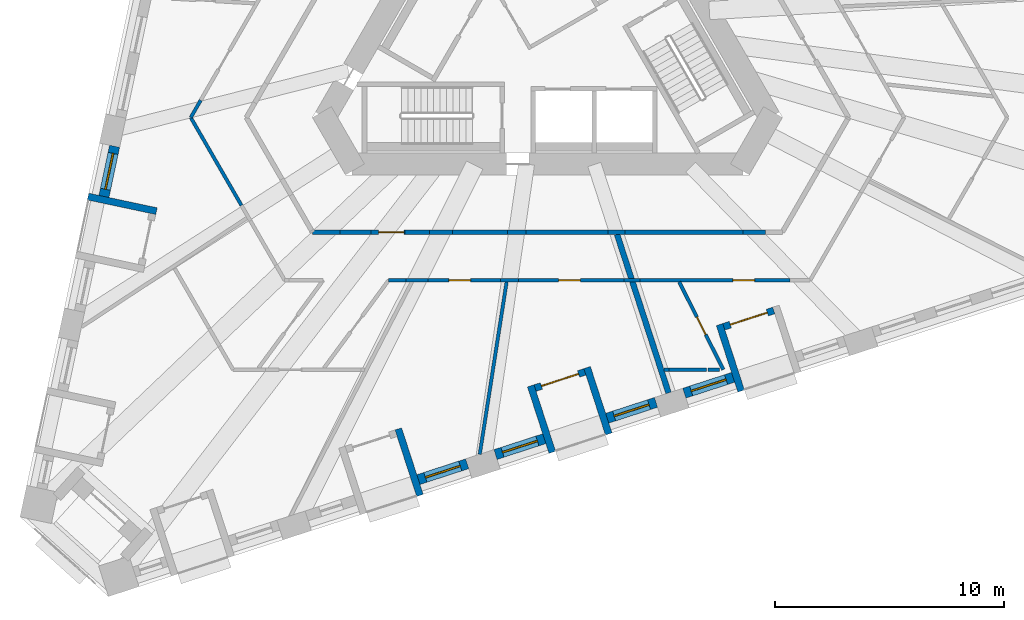
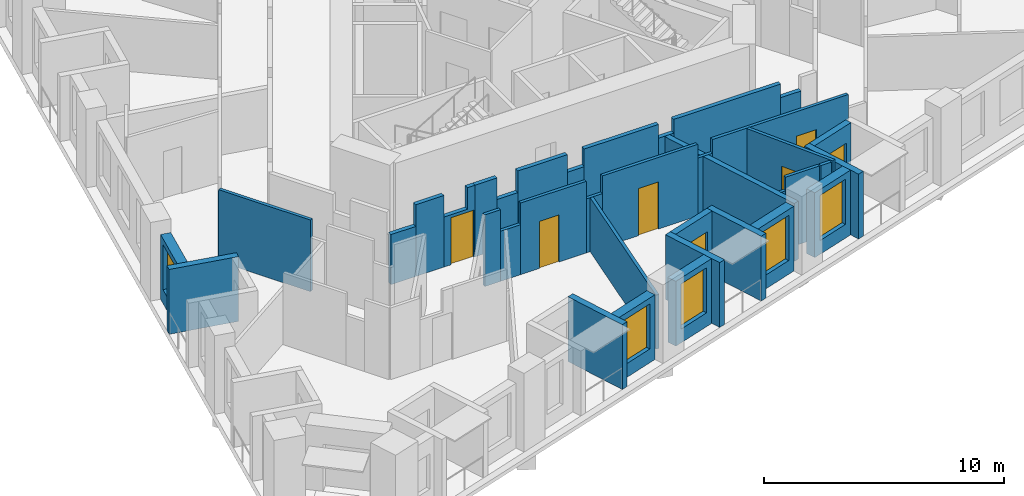
# One storey, part 3 of 12: 38 walls, 7 doors, 5 windows, 12 openings.
"""IFC4 building model written with IfcOpenShell, lengths in metres."""

import ifcopenshell
import ifcopenshell.guid

model = None  # the IFC model being written
_history = None  # IfcOwnerHistory: only IFC2X3 demands one
_inside = {}  # id of a spatial element -> (the spatial element, [elements in it])
_under = {}  # id of a project, library or spatial element -> (it, [spatial elements below it])
_declared = {}  # id of a project -> (the project, [libraries it declares])
_typed = {}  # id of a type object -> (the type object, [elements of that type])
_made_of = {}  # id of a material, layer set ... -> (it, [elements and type objects made of it])


def new_model(schema):
    """Start an empty IFC model of exactly this schema.

    Asked for "IFC4X3", IfcOpenShell would pick the latest addendum, in which some entities
    have other attributes; the version numbers below select the first issue.
    IFC2X3 requires an IfcOwnerHistory on every rooted entity: one is made here for all.
    """
    global model, _history
    if schema == "IFC4X3":
        model = ifcopenshell.file(schema_version=(4, 3, 0, 0))
    else:
        model = ifcopenshell.file(schema=schema)
    _inside.clear()
    _under.clear()
    _declared.clear()
    _typed.clear()
    _made_of.clear()
    _history = None
    if model.schema == "IFC2X3":
        org = make("IfcOrganization", Name="unknown")
        user = make(
            "IfcPersonAndOrganization",
            ThePerson=make("IfcPerson", FamilyName="unknown"),
            TheOrganization=org,
        )
        app = make(
            "IfcApplication",
            ApplicationDeveloper=org,
            Version="unknown",
            ApplicationFullName="unknown",
            ApplicationIdentifier="unknown",
        )
        _history = make(
            "IfcOwnerHistory",
            OwningUser=user,
            OwningApplication=app,
            ChangeAction="ADDED",
            CreationDate=0,
        )
    return model


def make(cls, **values):
    """One entity of the class cls with the attributes given. An attribute that is None is left unset."""
    return model.create_entity(
        cls, **{name: value for name, value in values.items() if value is not None}
    )


def rooted(cls, **values):
    """An entity with a GlobalId (a new one), such as an element, a storey or a relation."""
    return make(cls, GlobalId=ifcopenshell.guid.new(), OwnerHistory=_history, **values)


def si_unit(unit_type, name, prefix=None):
    """IfcSIUnit, for example si_unit("LENGTHUNIT", "METRE", prefix="MILLI")."""
    return make("IfcSIUnit", UnitType=unit_type, Prefix=prefix, Name=name)


def assignment(units):
    """IfcUnitAssignment: the units of a project."""
    return None if units is None else make("IfcUnitAssignment", Units=units)


def point(xyz):
    """IfcCartesianPoint."""
    return None if xyz is None else make("IfcCartesianPoint", Coordinates=xyz)


def direction(xyz):
    """IfcDirection."""
    return None if xyz is None else make("IfcDirection", DirectionRatios=xyz)


def frame(location, z_axis=None, x_axis=None):
    """IfcAxis2Placement3D, a coordinate frame: its origin and axes. An axis left out is left unset."""
    return make(
        "IfcAxis2Placement3D",
        Location=point(location),
        Axis=direction(z_axis),
        RefDirection=direction(x_axis),
    )


def frame_2d(location, x_axis=None):
    """IfcAxis2Placement2D, a coordinate frame in the plane: its origin and x axis."""
    return make(
        "IfcAxis2Placement2D", Location=point(location), RefDirection=direction(x_axis)
    )


def origin():
    """The frame at (0, 0, 0) with its axes left unset."""
    return frame((0.0, 0.0, 0.0))


def place(relative_to, where):
    """IfcLocalPlacement: puts the frame where relative to a parent placement (None: the world)."""
    return make(
        "IfcLocalPlacement", PlacementRelTo=relative_to, RelativePlacement=where
    )


def context(
    kind, dimensions, precision=None, world=None, true_north=None, identifier=None
):
    """IfcGeometricRepresentationContext, for example the 3D "Model" context."""
    return make(
        "IfcGeometricRepresentationContext",
        ContextIdentifier=identifier,
        ContextType=kind,
        CoordinateSpaceDimension=dimensions,
        Precision=precision,
        WorldCoordinateSystem=world,
        TrueNorth=true_north,
    )


def subcontext(parent, identifier, kind, view, scale=None):
    """IfcGeometricRepresentationSubContext, for example "Body" below "Model"."""
    return make(
        "IfcGeometricRepresentationSubContext",
        ContextIdentifier=identifier,
        ContextType=kind,
        ParentContext=parent,
        TargetScale=scale,
        TargetView=view,
    )


def project(units=None, contexts=None):
    """IfcProject with its units and contexts."""
    return rooted(
        "IfcProject",
        Name="project",
        RepresentationContexts=contexts,
        UnitsInContext=assignment(units),
    )


def spatial(cls, under=None, at=None, **own):
    """A site, building, storey or space (cls), placed at a placement, below another one or the project."""
    s = rooted(cls, ObjectPlacement=at, **own)
    if under is not None:
        _under.setdefault(under.id(), (under, []))[1].append(s)
    return s


def polyline(points):
    """IfcPolyline through the points."""
    return make("IfcPolyline", Points=[point(p) for p in points])


def profile(cls, at=None, kind="AREA", **sizes):
    """A parametric profile (cls). Its sizes go by their IFC names, for example OverallWidth=200.0."""
    return make(cls, ProfileType=kind, Position=at, **sizes)


def rectangle(**sizes):
    """IfcRectangleProfileDef."""
    return profile("IfcRectangleProfileDef", **sizes)


def outline(outer, holes=None, kind="AREA"):
    """IfcArbitraryClosedProfileDef: a profile drawn as a closed curve; with holes, ...WithVoids."""
    if holes is None:
        return make("IfcArbitraryClosedProfileDef", ProfileType=kind, OuterCurve=outer)
    return make(
        "IfcArbitraryProfileDefWithVoids",
        ProfileType=kind,
        OuterCurve=outer,
        InnerCurves=holes,
    )


def extrude(swept, where, along, depth):
    """IfcExtrudedAreaSolid: the profile swept, set in the frame where, extruded along a direction by depth."""
    return make(
        "IfcExtrudedAreaSolid",
        SweptArea=swept,
        Position=where,
        ExtrudedDirection=direction(along),
        Depth=depth,
    )


def shape(context_of_items, identifier, shape_type, items):
    """IfcShapeRepresentation: the items that make up one representation, for example the "Body"."""
    return make(
        "IfcShapeRepresentation",
        ContextOfItems=context_of_items,
        RepresentationIdentifier=identifier,
        RepresentationType=shape_type,
        Items=items,
    )


def material(Name=None, Category=None):
    """IfcMaterial."""
    return make("IfcMaterial", Name=Name, Category=Category)


def layer(
    of_material, thickness, ventilated=None, Name=None, Category=None, Priority=None
):
    """IfcMaterialLayer: one layer of a wall or slab, of a material (None: an air gap)."""
    return make(
        "IfcMaterialLayer",
        Material=of_material,
        LayerThickness=thickness,
        IsVentilated=ventilated,
        Name=Name,
        Category=Category,
        Priority=Priority,
    )


def layer_set(layers, Name=None):
    """IfcMaterialLayerSet."""
    return make("IfcMaterialLayerSet", MaterialLayers=layers, LayerSetName=Name)


def made_of(thing, what):
    """Note that an element or type object is made of a material, layer set ...; save() writes the relation."""
    if what is not None:
        _made_of.setdefault(what.id(), (what, []))[1].append(thing)
    return thing


def type_object(cls, material=None, **own):
    """A type object (cls), such as IfcWallType, which elements share."""
    return made_of(rooted(cls, **own), material)


def element(
    cls,
    number,
    at=None,
    inside=None,
    cuts=None,
    type_object=None,
    material=None,
    context=None,
    identifier="Body",
    shape_type=None,
    held_by="IfcProductDefinitionShape",
    body=None,
    shapes=None,
    **own,
):
    """One element of the class cls, such as IfcWall. Its Tag is "e" and its number.

    at: its placement. inside: the storey or other place that contains it. cuts: it is an
    opening in that element (IfcRelVoidsElement). A single representation is given by context,
    identifier, shape_type and body (its items); several are given by shapes. held_by: the class
    of the entity that holds the representations. save() writes the other relations.
    """
    e = rooted(cls, Tag="e%d" % number, ObjectPlacement=at, **own)
    if body is not None:
        shapes = [shape(context, identifier, shape_type, body)]
    if shapes is not None:
        e.Representation = make(held_by, Representations=shapes)
    if inside is not None:
        _inside.setdefault(inside.id(), (inside, []))[1].append(e)
    if cuts is not None:
        rooted(
            "IfcRelVoidsElement", RelatingBuildingElement=cuts, RelatedOpeningElement=e
        )
    if type_object is not None:
        _typed.setdefault(type_object.id(), (type_object, []))[1].append(e)
    return made_of(e, material)


def fill(opening, filler):
    """IfcRelFillsElement: the door or window that sits in an opening."""
    return rooted(
        "IfcRelFillsElement",
        RelatingOpeningElement=opening,
        RelatedBuildingElement=filler,
    )


def aggregate(whole, parts):
    """IfcRelAggregates: a whole, such as a stair, and the parts it consists of."""
    return rooted("IfcRelAggregates", RelatingObject=whole, RelatedObjects=parts)


def save(model, path):
    """Write the relations noted so far, then the file.

    IfcRelAggregates (storeys below a building ...), IfcRelContainedInSpatialStructure (elements
    in a storey), IfcRelDefinesByType, IfcRelAssociatesMaterial and IfcRelDeclares: one each for
    every whole, place, type object, material and project.
    """
    for whole, parts in _under.values():
        aggregate(whole, parts)
    for where, things in _inside.values():
        rooted(
            "IfcRelContainedInSpatialStructure",
            RelatedElements=things,
            RelatingStructure=where,
        )
    for kind, things in _typed.values():
        rooted("IfcRelDefinesByType", RelatedObjects=things, RelatingType=kind)
    for what, things in _made_of.values():
        rooted("IfcRelAssociatesMaterial", RelatedObjects=things, RelatingMaterial=what)
    for by, libraries in _declared.values():
        rooted("IfcRelDeclares", RelatingContext=by, RelatedDefinitions=libraries)
    model.write(path)


model = new_model("IFC4")

# Units and contexts
model_context = context("Model", 3, precision=1e-05, world=origin(), true_north=direction((0.0, 1.0)))
body_context = subcontext(model_context, "Body", "Model", "MODEL_VIEW")
ifc_project = project(units=[si_unit("LENGTHUNIT", "METRE"), si_unit("AREAUNIT", "SQUARE_METRE"), si_unit("VOLUMEUNIT", "CUBIC_METRE"), si_unit("PLANEANGLEUNIT", "RADIAN"), si_unit("MASSUNIT", "GRAM", prefix="KILO")], contexts=[model_context])

# Site, building, storey
site_placement = place(None, origin())
site = spatial("IfcSite", under=ifc_project, at=site_placement, CompositionType="ELEMENT")
building_placement = place(site_placement, origin())
building = spatial("IfcBuilding", under=site, at=building_placement, Name="Tramontana Tower", CompositionType="ELEMENT")
storey_placement = place(building_placement, frame((0.0, 0.0, 96.39990234375)))
storey = spatial("IfcBuildingStorey", under=building, at=storey_placement, Name="L21", CompositionType="ELEMENT", Elevation=96.39990234375)

# Walls
ifc_material_1 = material(Name="Blockwork", Category="masonry")
ifc_layer_1 = layer(ifc_material_1, 0.199951171875)
ifc_layer_set_1 = layer_set([ifc_layer_1], Name="ENTRY WALL 200")
wall_type_1 = type_object("IfcWallType", Name="ENTRY WALL 200", PredefinedType="SOLIDWALL", material=ifc_layer_set_1)
wall_1_placement = place(storey_placement, frame((9.50439453125, -9.25, 0.0), z_axis=(0.0, 0.0, 1.0), x_axis=(-1.0, 0.0, 0.0)))
element("IfcWall", 1, at=wall_1_placement, inside=storey, type_object=wall_type_1, Name="Wall v20-ew2-1", PredefinedType="SOLIDWALL", context=body_context, shape_type="SweptSolid", body=[
    extrude(rectangle(XDim=0.9775390625, YDim=0.199951171875, at=frame_2d((0.48876953125, 0.0))), origin(), (0.0, 0.0, 1.0), 2.9501953125),
])
wall_2_placement = place(storey_placement, frame((8.52685546875, -9.25, 0.0), z_axis=(0.0, 0.0, 1.0), x_axis=(-1.0, 0.0, 0.0)))
element("IfcWall", 2, at=wall_2_placement, inside=storey, type_object=wall_type_1, Name="Wall v20-ew2-2", PredefinedType="SOLIDWALL", context=body_context, shape_type="SweptSolid", body=[
    extrude(rectangle(XDim=5.1533203125, YDim=0.199951171875, at=frame_2d((2.57666015625, 0.0))), origin(), (0.0, 0.0, 1.0), 3.650146484375),
])
wall_3_placement = place(storey_placement, frame((3.37353515625, -9.25, 0.0), z_axis=(0.0, 0.0, 1.0), x_axis=(-1.0, 0.0, 0.0)))
element("IfcWall", 3, at=wall_3_placement, inside=storey, type_object=wall_type_1, Name="Wall v20-ew2-3", PredefinedType="SOLIDWALL", context=body_context, shape_type="SweptSolid", body=[
    extrude(rectangle(XDim=0.736083984375, YDim=0.199951171875, at=frame_2d((0.3681640625, 0.0))), origin(), (0.0, 0.0, 1.0), 2.9501953125),
])
wall_4_placement = place(storey_placement, frame((2.637451171875, -9.25, 0.0), z_axis=(0.0, 0.0, 1.0), x_axis=(-1.0, 0.0, 0.0)))
element("IfcWall", 4, at=wall_4_placement, inside=storey, type_object=wall_type_1, Name="Wall v20-ew2-4", PredefinedType="SOLIDWALL", context=body_context, shape_type="SweptSolid", body=[
    extrude(rectangle(XDim=3.576904296875, YDim=0.199951171875, at=frame_2d((1.78857421875, 0.0))), origin(), (0.0, 0.0, 1.0), 3.650146484375),
])
wall_5_placement = place(storey_placement, frame((-0.939453125, -9.25, 0.0), z_axis=(0.0, 0.0, 1.0), x_axis=(-1.0, 0.0, 0.0)))
element("IfcWall", 5, at=wall_5_placement, inside=storey, type_object=wall_type_1, Name="Wall v20-ew2-5", PredefinedType="SOLIDWALL", context=body_context, shape_type="SweptSolid", body=[
    extrude(rectangle(XDim=0.808349609375, YDim=0.199951171875, at=frame_2d((0.404296875, 0.0))), origin(), (0.0, 0.0, 1.0), 2.75),
])
wall_6_placement = place(storey_placement, frame((-1.747802734375, -9.25, 0.0), z_axis=(0.0, 0.0, 1.0), x_axis=(-1.0, 0.0, 0.0)))
element("IfcWall", 6, at=wall_6_placement, inside=storey, type_object=wall_type_1, Name="Wall v20-ew2-6", PredefinedType="SOLIDWALL", context=body_context, shape_type="SweptSolid", body=[
    extrude(rectangle(XDim=2.385498046875, YDim=0.199951171875, at=frame_2d((1.19287109375, 0.0))), origin(), (0.0, 0.0, 1.0), 3.650146484375),
])
wall_7_placement = place(storey_placement, frame((-4.13330078125, -9.25, 0.0), z_axis=(0.0, 0.0, 1.0), x_axis=(-1.0, 0.0, 0.0)))
element("IfcWall", 7, at=wall_7_placement, inside=storey, type_object=wall_type_1, Name="Wall v20-ew2-7", PredefinedType="SOLIDWALL", context=body_context, shape_type="SweptSolid", body=[
    extrude(rectangle(XDim=1.0068359375, YDim=0.199951171875, at=frame_2d((0.50341796875, 0.0))), origin(), (0.0, 0.0, 1.0), 2.550048828125),
])
wall_8_placement = place(storey_placement, frame((-5.14013671875, -9.25, 0.0), z_axis=(0.0, 0.0, 1.0), x_axis=(-1.0, 0.0, 0.0)))
element("IfcWall", 8, at=wall_8_placement, inside=storey, type_object=wall_type_1, Name="Wall v20-ew2-8", PredefinedType="SOLIDWALL", context=body_context, shape_type="SweptSolid", body=[
    extrude(rectangle(XDim=1.069580078125, YDim=0.199951171875, at=frame_2d((0.53466796875, 0.0))), origin(), (0.0, 0.0, 1.0), 3.650146484375),
])

# Wall, opening, door
wall_9_placement = place(storey_placement, frame((-7.695556640625, -9.25, 0.0), z_axis=(0.0, 0.0, 1.0), x_axis=(1.0, 0.0, 0.0)))
wall_9 = element("IfcWall", 9, at=wall_9_placement, inside=storey, type_object=wall_type_1, Name="Wall v20-ew2-9", PredefinedType="SOLIDWALL", context=body_context, shape_type="SweptSolid", body=[
    extrude(outline(polyline([(0.0, 0.0), (1.48583984375, 0.0), (1.48583984375, 3.650146484375), (1.13623046875, 3.650146484375), (1.13623046875, 2.550048828125), (0.0, 2.550048828125), (0.0, 0.0)])), frame((0.0, 0.10009765625, 0.0), z_axis=(0.0, -1.0, 0.0), x_axis=(1.0, 0.0, 0.0)), (0.0, 0.0, 1.0), 0.199951171875),
])
opening_1_placement = place(wall_9_placement, frame((0.3359375, 0.0, 0.0)))
opening_1 = element("IfcOpeningElement", 10, at=opening_1_placement, cuts=wall_9, Name="Opening B2A-23", PredefinedType="OPENING", context=body_context, shape_type="SweptSolid", body=[
    extrude(rectangle(XDim=1.10009765625, YDim=2.39990234375, at=frame_2d((0.550048828125, 1.199951171875))), frame((0.0, 0.10986328125, 0.0), z_axis=(0.0, -1.0, 0.0), x_axis=(1.0, 0.0, 0.0)), (0.0, 0.0, 1.0), 0.219970703125),
])
ifc_material_2 = material(Name="Painted timber", Category="wood")
door_type_1 = type_object("IfcDoorType", Name="DOOR ENTRY 1100", OperationType="SINGLE_SWING_LEFT", PredefinedType="DOOR", material=ifc_material_2)
door_1_placement = place(opening_1_placement, origin())
door_1 = element("IfcDoor", 11, at=door_1_placement, inside=storey, type_object=door_type_1, Name="Door B2A-23", OperationType="SINGLE_SWING_LEFT", OverallHeight=2.39990234375, OverallWidth=1.10009765625, PredefinedType="DOOR", context=body_context, shape_type="SweptSolid", body=[
    extrude(rectangle(XDim=1.10009765625, YDim=2.39990234375, at=frame_2d((0.550048828125, 1.199951171875))), frame((0.0, 0.02490234375, 0.0), z_axis=(0.0, -1.0, 0.0), x_axis=(1.0, 0.0, 0.0)), (0.0, 0.0, 1.0), 0.050048828125),
])
fill(opening_1, door_1)

# Walls
wall_10_placement = place(storey_placement, frame((-7.695556640625, -9.25, 0.0), z_axis=(0.0, 0.0, 1.0), x_axis=(-1.0, 0.0, 0.0)))
element("IfcWall", 12, at=wall_10_placement, inside=storey, type_object=wall_type_1, Name="Wall v20-ew2-10", PredefinedType="SOLIDWALL", context=body_context, shape_type="SweptSolid", body=[
    extrude(rectangle(XDim=1.3603515625, YDim=0.199951171875, at=frame_2d((0.68017578125, 0.0))), origin(), (0.0, 0.0, 1.0), 3.650146484375),
])
wall_11_placement = place(storey_placement, frame((-9.055908203125, -9.25, 0.0), z_axis=(0.0, 0.0, 1.0), x_axis=(-1.0, 0.0, 0.0)))
element("IfcWall", 13, at=wall_11_placement, inside=storey, type_object=wall_type_1, Name="Wall v20-ew2-11", PredefinedType="SOLIDWALL", context=body_context, shape_type="SweptSolid", body=[
    extrude(rectangle(XDim=1.192138671875, YDim=0.199951171875, at=frame_2d((0.59619140625, 0.0))), origin(), (0.0, 0.0, 1.0), 2.550048828125),
])

# Wall, opening, window
ifc_material_3 = material(Name="Precast concrete 60 MPa", Category="concrete")
ifc_layer_2 = layer(ifc_material_3, 0.449951171875)
ifc_layer_set_2 = layer_set([ifc_layer_2], Name="Precast concrete 60 MPa, 450 mm")
wall_type_2 = type_object("IfcWallType", Name="EW1 Stone-faced precast wall 450", PredefinedType="SOLIDWALL", material=ifc_layer_set_2)
wall_12_placement = place(storey_placement, frame((-18.882080078125, -5.504638671875, 0.0), z_axis=(0.0, 0.0, 1.0), x_axis=(-0.207918801611, -0.978146089261, 0.0)))
wall_12 = element("IfcWall", 14, at=wall_12_placement, inside=storey, type_object=wall_type_2, Name="External wall L21 face 0 bay 5", PredefinedType="SOLIDWALL", context=body_context, shape_type="SweptSolid", body=[
    extrude(rectangle(XDim=2.23681640625, YDim=0.449951171875, at=frame_2d((1.118408203125, 0.0))), origin(), (0.0, 0.0, 1.0), 3.300048828125),
])
opening_2_placement = place(wall_12_placement, frame((0.318359375, 0.0, 0.699951171875)))
opening_2 = element("IfcOpeningElement", 15, at=opening_2_placement, cuts=wall_12, Name="Opening M1", PredefinedType="OPENING", context=body_context, shape_type="SweptSolid", body=[
    extrude(rectangle(XDim=1.60009765625, YDim=2.300048828125, at=frame_2d((0.800048828125, 1.14990234375))), frame((0.0, 0.23486328125, 0.0), z_axis=(0.0, -1.0, 0.0), x_axis=(1.0, 0.0, 0.0)), (0.0, 0.0, 1.0), 0.469970703125),
])
ifc_material_4 = material(Name="Aluminum frame, double glazing unit", Category="aluminium")
window_type = type_object("IfcWindowType", Name="M1 Window 1.6 x 2.3", PartitioningType="SINGLE_PANEL", PredefinedType="WINDOW", material=ifc_material_4)
window_1_placement = place(opening_2_placement, origin())
window_1 = element("IfcWindow", 16, at=window_1_placement, inside=storey, type_object=window_type, Name="Window M1 L21 face 0 module 13", OverallHeight=2.300048828125, OverallWidth=1.60009765625, PartitioningType="SINGLE_PANEL", PredefinedType="WINDOW", context=body_context, shape_type="SweptSolid", body=[
    extrude(rectangle(XDim=1.60009765625, YDim=2.300048828125, at=frame_2d((0.800048828125, 1.14990234375))), frame((0.0, 0.030029296875, 0.0), z_axis=(0.0, -1.0, 0.0), x_axis=(1.0, 0.0, 0.0)), (0.0, 0.0, 1.0), 0.06005859375),
])
fill(opening_2, window_1)

wall_13_placement = place(storey_placement, frame((-5.628173828125, -20.045166015625, 0.0), z_axis=(0.0, 0.0, 1.0), x_axis=(0.951057328329, 0.30901449518, 0.0)))
wall_13 = element("IfcWall", 17, at=wall_13_placement, inside=storey, type_object=wall_type_2, Name="External wall L21 face 1 bay 2", PredefinedType="SOLIDWALL", context=body_context, shape_type="SweptSolid", body=[
    extrude(rectangle(XDim=2.236572265625, YDim=0.449951171875, at=frame_2d((1.1181640625, 0.0))), origin(), (0.0, 0.0, 1.0), 3.300048828125),
])
opening_3_placement = place(wall_13_placement, frame((0.318359375, 0.0, 0.699951171875)))
opening_3 = element("IfcOpeningElement", 18, at=opening_3_placement, cuts=wall_13, Name="Opening M1", PredefinedType="OPENING", context=body_context, shape_type="SweptSolid", body=[
    extrude(rectangle(XDim=1.60009765625, YDim=2.300048828125, at=frame_2d((0.800048828125, 1.14990234375))), frame((0.0, 0.23486328125, 0.0), z_axis=(0.0, -1.0, 0.0), x_axis=(1.0, 0.0, 0.0)), (0.0, 0.0, 1.0), 0.469970703125),
])
window_2_placement = place(opening_3_placement, origin())
window_2 = element("IfcWindow", 19, at=window_2_placement, inside=storey, type_object=window_type, Name="Window M1 L21 face 1 module 6", OverallHeight=2.300048828125, OverallWidth=1.60009765625, PartitioningType="SINGLE_PANEL", PredefinedType="WINDOW", context=body_context, shape_type="SweptSolid", body=[
    extrude(rectangle(XDim=1.60009765625, YDim=2.300048828125, at=frame_2d((0.800048828125, 1.14990234375))), frame((0.0, 0.030029296875, 0.0), z_axis=(0.0, -1.0, 0.0), x_axis=(1.0, 0.0, 0.0)), (0.0, 0.0, 1.0), 0.06005859375),
])
fill(opening_3, window_2)

wall_14_placement = place(storey_placement, frame((-2.264404296875, -18.952392578125, 0.0), z_axis=(0.0, 0.0, 1.0), x_axis=(0.951057328329, 0.30901449518, 0.0)))
wall_14 = element("IfcWall", 20, at=wall_14_placement, inside=storey, type_object=wall_type_2, Name="External wall L21 face 1 bay 3", PredefinedType="SOLIDWALL", context=body_context, shape_type="SweptSolid", body=[
    extrude(rectangle(XDim=2.236572265625, YDim=0.449951171875, at=frame_2d((1.1181640625, 0.0))), origin(), (0.0, 0.0, 1.0), 3.300048828125),
])
opening_4_placement = place(wall_14_placement, frame((0.318359375, 0.0, 0.699951171875)))
opening_4 = element("IfcOpeningElement", 21, at=opening_4_placement, cuts=wall_14, Name="Opening M1", PredefinedType="OPENING", context=body_context, shape_type="SweptSolid", body=[
    extrude(rectangle(XDim=1.60009765625, YDim=2.300048828125, at=frame_2d((0.800048828125, 1.14990234375))), frame((0.0, 0.23486328125, 0.0), z_axis=(0.0, -1.0, 0.0), x_axis=(1.0, 0.0, 0.0)), (0.0, 0.0, 1.0), 0.469970703125),
])
window_3_placement = place(opening_4_placement, origin())
window_3 = element("IfcWindow", 22, at=window_3_placement, inside=storey, type_object=window_type, Name="Window M1 L21 face 1 module 7", OverallHeight=2.300048828125, OverallWidth=1.60009765625, PartitioningType="SINGLE_PANEL", PredefinedType="WINDOW", context=body_context, shape_type="SweptSolid", body=[
    extrude(rectangle(XDim=1.60009765625, YDim=2.300048828125, at=frame_2d((0.800048828125, 1.14990234375))), frame((0.0, 0.030029296875, 0.0), z_axis=(0.0, -1.0, 0.0), x_axis=(1.0, 0.0, 0.0)), (0.0, 0.0, 1.0), 0.06005859375),
])
fill(opening_4, window_3)

wall_15_placement = place(storey_placement, frame((2.608154296875, -17.369140625, 0.0), z_axis=(0.0, 0.0, 1.0), x_axis=(0.951067749801, 0.30898241906, 0.0)))
wall_15 = element("IfcWall", 23, at=wall_15_placement, inside=storey, type_object=wall_type_2, Name="External wall L21 face 1 bay 3", PredefinedType="SOLIDWALL", context=body_context, shape_type="SweptSolid", body=[
    extrude(rectangle(XDim=2.23681640625, YDim=0.449951171875, at=frame_2d((1.118408203125, 0.0))), origin(), (0.0, 0.0, 1.0), 3.300048828125),
])
opening_5_placement = place(wall_15_placement, frame((0.318359375, 0.0, 0.699951171875)))
opening_5 = element("IfcOpeningElement", 24, at=opening_5_placement, cuts=wall_15, Name="Opening M1", PredefinedType="OPENING", context=body_context, shape_type="SweptSolid", body=[
    extrude(rectangle(XDim=1.60009765625, YDim=2.300048828125, at=frame_2d((0.800048828125, 1.14990234375))), frame((0.0, 0.23486328125, 0.0), z_axis=(0.0, -1.0, 0.0), x_axis=(1.0, 0.0, 0.0)), (0.0, 0.0, 1.0), 0.469970703125),
])
window_4_placement = place(opening_5_placement, origin())
window_4 = element("IfcWindow", 25, at=window_4_placement, inside=storey, type_object=window_type, Name="Window M1 L21 face 1 module 9", OverallHeight=2.300048828125, OverallWidth=1.60009765625, PartitioningType="SINGLE_PANEL", PredefinedType="WINDOW", context=body_context, shape_type="SweptSolid", body=[
    extrude(rectangle(XDim=1.60009765625, YDim=2.300048828125, at=frame_2d((0.800048828125, 1.14990234375))), frame((0.0, 0.030029296875, 0.0), z_axis=(0.0, -1.0, 0.0), x_axis=(1.0, 0.0, 0.0)), (0.0, 0.0, 1.0), 0.06005859375),
])
fill(opening_5, window_4)

wall_16_placement = place(storey_placement, frame((5.971923828125, -16.276123046875, 0.0), z_axis=(0.0, 0.0, 1.0), x_axis=(0.951057328329, 0.30901449518, 0.0)))
wall_16 = element("IfcWall", 26, at=wall_16_placement, inside=storey, type_object=wall_type_2, Name="External wall L21 face 1 bay 4", PredefinedType="SOLIDWALL", context=body_context, shape_type="SweptSolid", body=[
    extrude(rectangle(XDim=2.236572265625, YDim=0.449951171875, at=frame_2d((1.1181640625, 0.0))), origin(), (0.0, 0.0, 1.0), 3.300048828125),
])
opening_6_placement = place(wall_16_placement, frame((0.318359375, 0.0, 0.699951171875)))
opening_6 = element("IfcOpeningElement", 27, at=opening_6_placement, cuts=wall_16, Name="Opening M1", PredefinedType="OPENING", context=body_context, shape_type="SweptSolid", body=[
    extrude(rectangle(XDim=1.60009765625, YDim=2.300048828125, at=frame_2d((0.800048828125, 1.14990234375))), frame((0.0, 0.23486328125, 0.0), z_axis=(0.0, -1.0, 0.0), x_axis=(1.0, 0.0, 0.0)), (0.0, 0.0, 1.0), 0.469970703125),
])
window_5_placement = place(opening_6_placement, origin())
window_5 = element("IfcWindow", 28, at=window_5_placement, inside=storey, type_object=window_type, Name="Window M1 L21 face 1 module 10", OverallHeight=2.300048828125, OverallWidth=1.60009765625, PartitioningType="SINGLE_PANEL", PredefinedType="WINDOW", context=body_context, shape_type="SweptSolid", body=[
    extrude(rectangle(XDim=1.60009765625, YDim=2.300048828125, at=frame_2d((0.800048828125, 1.14990234375))), frame((0.0, 0.030029296875, 0.0), z_axis=(0.0, -1.0, 0.0), x_axis=(1.0, 0.0, 0.0)), (0.0, 0.0, 1.0), 0.06005859375),
])
fill(opening_6, window_5)

# Walls
ifc_material_5 = material(Name="Precast concrete 60 MPa", Category="concrete")
ifc_layer_3 = layer(ifc_material_5, 0.300048828125)
ifc_layer_set_3 = layer_set([ifc_layer_3], Name="LW1 Stone-faced loggia wall 300")
wall_type_3 = type_object("IfcWallType", Name="LW1 Stone-faced loggia wall 300", PredefinedType="SOLIDWALL", material=ifc_layer_set_3)
for number, where, z_axis, x_axis, name in (
    (29, (-20.03857421875, -7.698974609375, 0.0), (0.0, 0.0, 1.0), (0.978154782045, -0.207877902534, 0.0), "Loggia return L21 G2S0.13a"),
    (30, (-5.562255859375, -20.733642578125, 0.0), (0.0, 0.0, 1.0), (-0.308966615996, 0.951072883748, 0.0), "Loggia return L21 G2S1.4b"),
):
    element("IfcWall", number, at=place(storey_placement, frame(where, z_axis=z_axis, x_axis=x_axis)), inside=storey, type_object=wall_type_3, Name=name, PredefinedType="SOLIDWALL", context=body_context, shape_type="SweptSolid", body=[
        extrude(rectangle(XDim=3.050048828125, YDim=0.300048828125, at=frame_2d((1.52490234375, 0.0))), origin(), (0.0, 0.0, 1.0), 3.300048828125),
    ])

# Wall, opening, door
wall_17_placement = place(storey_placement, frame((-0.53955078125, -16.05224609375, 0.0), z_axis=(0.0, 0.0, 1.0), x_axis=(0.951078776318, 0.308948476671, 0.0)))
wall_17 = element("IfcWall", 31, at=wall_17_placement, inside=storey, type_object=wall_type_3, Name="Loggia wall L21 G2S1.7", PredefinedType="SOLIDWALL", context=body_context, shape_type="SweptSolid", body=[
    extrude(rectangle(XDim=2.286865234375, YDim=0.300048828125, at=frame_2d((1.1435546875, 0.0))), origin(), (0.0, 0.0, 1.0), 3.300048828125),
])
opening_7_placement = place(wall_17_placement, frame((0.29345703125, 0.0, 0.0)))
opening_7 = element("IfcOpeningElement", 32, at=opening_7_placement, cuts=wall_17, Name="Opening BD-2S1-07", PredefinedType="OPENING", context=body_context, shape_type="SweptSolid", body=[
    extrude(rectangle(XDim=1.699951171875, YDim=2.39990234375, at=frame_2d((0.85009765625, 1.199951171875))), frame((0.0, 0.159912109375, 0.0), z_axis=(0.0, -1.0, 0.0), x_axis=(1.0, 0.0, 0.0)), (0.0, 0.0, 1.0), 0.320068359375),
])
ifc_material_6 = material(Name="Aluminum frame, double glazing unit", Category="aluminium")
door_type_2 = type_object("IfcDoorType", Name="BD1 Sliding door 1.7 x 2.4", OperationType="SLIDING_TO_LEFT", PredefinedType="DOOR", material=ifc_material_6)
door_2_placement = place(opening_7_placement, origin())
door_2 = element("IfcDoor", 33, at=door_2_placement, inside=storey, type_object=door_type_2, Name="Loggia door L21 G2S1.7", OperationType="SLIDING_TO_LEFT", OverallHeight=2.39990234375, OverallWidth=1.699951171875, PredefinedType="DOOR", context=body_context, shape_type="SweptSolid", body=[
    extrude(rectangle(XDim=1.699951171875, YDim=2.39990234375, at=frame_2d((0.85009765625, 1.199951171875))), frame((0.0, 0.02490234375, 0.0), z_axis=(0.0, -1.0, 0.0), x_axis=(1.0, 0.0, 0.0)), (0.0, 0.0, 1.0), 0.050048828125),
])
fill(opening_7, door_2)

# Walls
wall_18_placement = place(storey_placement, frame((0.214111328125, -18.856689453125, 0.0), z_axis=(0.0, 0.0, 1.0), x_axis=(-0.309062542235, 0.951041715693, 0.0)))
element("IfcWall", 34, at=wall_18_placement, inside=storey, type_object=wall_type_3, Name="Loggia return L21 G2S1.7a", PredefinedType="SOLIDWALL", context=body_context, shape_type="SweptSolid", body=[
    extrude(rectangle(XDim=3.050048828125, YDim=0.300048828125, at=frame_2d((1.52490234375, 0.0))), origin(), (0.0, 0.0, 1.0), 3.300048828125),
])
wall_19_placement = place(storey_placement, frame((2.674072265625, -18.057373046875, 0.0), z_axis=(0.0, 0.0, 1.0), x_axis=(-0.308990138358, 0.951065241925, 0.0)))
element("IfcWall", 35, at=wall_19_placement, inside=storey, type_object=wall_type_3, Name="Loggia return L21 G2S1.7b", PredefinedType="SOLIDWALL", context=body_context, shape_type="SweptSolid", body=[
    extrude(rectangle(XDim=3.0498046875, YDim=0.300048828125, at=frame_2d((1.52490234375, 0.0))), origin(), (0.0, 0.0, 1.0), 3.300048828125),
])

# Wall, opening, door
wall_20_placement = place(storey_placement, frame((7.697021484375, -13.376220703125, 0.0), z_axis=(0.0, 0.0, 1.0), x_axis=(0.95103720697, 0.309076416051, 0.0)))
wall_20 = element("IfcWall", 36, at=wall_20_placement, inside=storey, type_object=wall_type_3, Name="Loggia wall L21 G2S1.10", PredefinedType="SOLIDWALL", context=body_context, shape_type="SweptSolid", body=[
    extrude(rectangle(XDim=2.286865234375, YDim=0.300048828125, at=frame_2d((1.1435546875, 0.0))), origin(), (0.0, 0.0, 1.0), 3.300048828125),
])
opening_8_placement = place(wall_20_placement, frame((0.29345703125, 0.0, 0.0)))
opening_8 = element("IfcOpeningElement", 37, at=opening_8_placement, cuts=wall_20, Name="Opening BD-2S1-10", PredefinedType="OPENING", context=body_context, shape_type="SweptSolid", body=[
    extrude(rectangle(XDim=1.699951171875, YDim=2.39990234375, at=frame_2d((0.85009765625, 1.199951171875))), frame((0.0, 0.159912109375, 0.0), z_axis=(0.0, -1.0, 0.0), x_axis=(1.0, 0.0, 0.0)), (0.0, 0.0, 1.0), 0.320068359375),
])
door_3_placement = place(opening_8_placement, origin())
door_3 = element("IfcDoor", 38, at=door_3_placement, inside=storey, type_object=door_type_2, Name="Loggia door L21 G2S1.10", OperationType="SLIDING_TO_LEFT", OverallHeight=2.39990234375, OverallWidth=1.699951171875, PredefinedType="DOOR", context=body_context, shape_type="SweptSolid", body=[
    extrude(rectangle(XDim=1.699951171875, YDim=2.39990234375, at=frame_2d((0.85009765625, 1.199951171875))), frame((0.0, 0.02490234375, 0.0), z_axis=(0.0, -1.0, 0.0), x_axis=(1.0, 0.0, 0.0)), (0.0, 0.0, 1.0), 0.050048828125),
])
fill(opening_8, door_3)

# Walls
wall_21_placement = place(storey_placement, frame((8.450439453125, -16.1806640625, 0.0), z_axis=(0.0, 0.0, 1.0), x_axis=(-0.309039015525, 0.951049360908, 0.0)))
element("IfcWall", 39, at=wall_21_placement, inside=storey, type_object=wall_type_3, Name="Loggia return L21 G2S1.10a", PredefinedType="SOLIDWALL", context=body_context, shape_type="SweptSolid", body=[
    extrude(rectangle(XDim=3.05029296875, YDim=0.300048828125, at=frame_2d((1.525146484375, 0.0))), origin(), (0.0, 0.0, 1.0), 3.300048828125),
])
ifc_material_7 = material(Name="Gypsum board partition")
ifc_layer_4 = layer(ifc_material_7, 0.14990234375)
ifc_layer_set_4 = layer_set([ifc_layer_4], Name="PARTITION 150")
wall_type_4 = type_object("IfcWallType", Name="PARTITION 150", PredefinedType="PARTITIONING", material=ifc_layer_set_4)
wall_22_placement = place(storey_placement, frame((-15.5595703125, -4.25, 0.0), z_axis=(0.0, 0.0, 1.0), x_axis=(0.499884524299, 0.866092063448, 0.0)))
element("IfcWall", 40, at=wall_22_placement, inside=storey, type_object=wall_type_4, Name="Wall v20-pw02-0", PredefinedType="PARTITIONING", context=body_context, shape_type="SweptSolid", body=[
    extrude(rectangle(XDim=0.869384765625, YDim=0.14990234375, at=frame_2d((0.4345703125, 0.0))), origin(), (0.0, 0.0, 1.0), 2.9501953125),
])
wall_23_placement = place(storey_placement, frame((-13.3466796875, -8.0830078125, 0.0), z_axis=(0.0, 0.0, 1.0), x_axis=(-0.499983483481, 0.866034939391, 0.0)))
element("IfcWall", 41, at=wall_23_placement, inside=storey, type_object=wall_type_4, Name="Wall v20-pw06-3", PredefinedType="PARTITIONING", context=body_context, shape_type="SweptSolid", body=[
    extrude(rectangle(XDim=4.426025390625, YDim=0.14990234375, at=frame_2d((2.212890625, 0.0))), origin(), (0.0, 0.0, 1.0), 3.650146484375),
])
wall_24_placement = place(storey_placement, frame((-1.781005859375, -11.425048828125, 0.0), z_axis=(0.0, 0.0, 1.0), x_axis=(-0.153998853513, -0.988071026352, 0.0)))
element("IfcWall", 42, at=wall_24_placement, inside=storey, type_object=wall_type_4, Name="Wall v20-pw20-0", PredefinedType="PARTITIONING", context=body_context, shape_type="SweptSolid", body=[
    extrude(rectangle(XDim=7.60498046875, YDim=0.14990234375, at=frame_2d((3.802490234375, 0.0))), origin(), (0.0, 0.0, 1.0), 2.75),
])

# Wall, opening, door
wall_25_placement = place(storey_placement, frame((7.6748046875, -15.25, 0.0), z_axis=(0.0, 0.0, 1.0), x_axis=(-0.449561059641, 0.893249603221, 0.0)))
wall_25 = element("IfcWall", 43, at=wall_25_placement, inside=storey, type_object=wall_type_4, Name="Wall v20-pw24", PredefinedType="PARTITIONING", context=body_context, shape_type="SweptSolid", body=[
    extrude(rectangle(XDim=4.281982421875, YDim=0.14990234375, at=frame_2d((2.14111328125, 0.0))), origin(), (0.0, 0.0, 1.0), 3.650146484375),
])
opening_9_placement = place(wall_25_placement, frame((1.716064453125, 0.0, 0.0)))
opening_9 = element("IfcOpeningElement", 44, at=opening_9_placement, cuts=wall_25, Name="Opening B2A-20", PredefinedType="OPENING", context=body_context, shape_type="SweptSolid", body=[
    extrude(rectangle(XDim=0.85009765625, YDim=2.39990234375, at=frame_2d((0.425048828125, 1.199951171875))), frame((0.0, 0.0849609375, 0.0), z_axis=(0.0, -1.0, 0.0), x_axis=(1.0, 0.0, 0.0)), (0.0, 0.0, 1.0), 0.169921875),
])
ifc_material_8 = material(Name="Painted timber", Category="wood")
door_type_3 = type_object("IfcDoorType", Name="DOOR BATH 850", OperationType="SINGLE_SWING_LEFT", PredefinedType="DOOR", material=ifc_material_8)
door_4_placement = place(opening_9_placement, origin())
door_4 = element("IfcDoor", 45, at=door_4_placement, inside=storey, type_object=door_type_3, Name="Door B2A-20", OperationType="SINGLE_SWING_RIGHT", OverallHeight=2.39990234375, OverallWidth=0.85009765625, PredefinedType="DOOR", context=body_context, shape_type="SweptSolid", body=[
    extrude(rectangle(XDim=0.85009765625, YDim=2.39990234375, at=frame_2d((0.425048828125, 1.199951171875))), frame((0.0, 0.02490234375, 0.0), z_axis=(0.0, -1.0, 0.0), x_axis=(1.0, 0.0, 0.0)), (0.0, 0.0, 1.0), 0.050048828125),
])
fill(opening_9, door_4)

# Walls
wall_26_placement = place(storey_placement, frame((6.9404296875, -15.25, 0.0), z_axis=(0.0, 0.0, 1.0), x_axis=(-1.0, 0.0, 0.0)))
element("IfcWall", 46, at=wall_26_placement, inside=storey, type_object=wall_type_4, Name="Wall v20-pw25-0", PredefinedType="PARTITIONING", context=body_context, shape_type="SweptSolid", body=[
    extrude(rectangle(XDim=1.630615234375, YDim=0.14990234375, at=frame_2d((0.8154296875, 0.0))), origin(), (0.0, 0.0, 1.0), 3.650146484375),
])
wall_27_placement = place(storey_placement, frame((5.309814453125, -15.25, 0.0), z_axis=(0.0, 0.0, 1.0), x_axis=(-1.0, 0.0, 0.0)))
element("IfcWall", 47, at=wall_27_placement, inside=storey, type_object=wall_type_4, Name="Wall v20-pw25-1", PredefinedType="PARTITIONING", context=body_context, shape_type="SweptSolid", body=[
    extrude(rectangle(XDim=0.223388671875, YDim=0.14990234375, at=frame_2d((0.11181640625, 0.0))), origin(), (0.0, 0.0, 1.0), 2.9501953125),
])
wall_28_placement = place(storey_placement, frame((7.512451171875, -15.25, 0.0), z_axis=(0.0, 0.0, 1.0), x_axis=(-1.0, 0.0, 0.0)))
element("IfcWall", 48, at=wall_28_placement, inside=storey, type_object=wall_type_4, Name="Wall v20-pw27", PredefinedType="PARTITIONING", context=body_context, shape_type="SweptSolid", body=[
    extrude(rectangle(XDim=0.502197265625, YDim=0.14990234375, at=frame_2d((0.2509765625, 0.0))), origin(), (0.0, 0.0, 1.0), 3.650146484375),
])

# Wall, opening, door
wall_29_placement = place(storey_placement, frame((10.591064453125, -11.35009765625, 0.0), z_axis=(0.0, 0.0, 1.0), x_axis=(-1.0, 0.0, 0.0)))
wall_29 = element("IfcWall", 49, at=wall_29_placement, inside=storey, type_object=wall_type_4, Name="Wall v20-pw32-1", PredefinedType="PARTITIONING", context=body_context, shape_type="SweptSolid", body=[
    extrude(rectangle(XDim=6.54833984375, YDim=0.14990234375, at=frame_2d((3.274169921875, 0.0))), origin(), (0.0, 0.0, 1.0), 3.650146484375),
])
opening_10_placement = place(wall_29_placement, frame((1.55126953125, 0.0, 0.0)))
opening_10 = element("IfcOpeningElement", 50, at=opening_10_placement, cuts=wall_29, Name="Opening B2A-17", PredefinedType="OPENING", context=body_context, shape_type="SweptSolid", body=[
    extrude(rectangle(XDim=0.949951171875, YDim=2.39990234375, at=frame_2d((0.47509765625, 1.199951171875))), frame((0.0, 0.0849609375, 0.0), z_axis=(0.0, -1.0, 0.0), x_axis=(1.0, 0.0, 0.0)), (0.0, 0.0, 1.0), 0.169921875),
])
ifc_material_9 = material(Name="Painted timber", Category="wood")
door_type_4 = type_object("IfcDoorType", Name="DOOR ROOM 950", OperationType="SINGLE_SWING_LEFT", PredefinedType="DOOR", material=ifc_material_9)
door_5_placement = place(opening_10_placement, origin())
door_5 = element("IfcDoor", 51, at=door_5_placement, inside=storey, type_object=door_type_4, Name="Door B2A-17", OperationType="SINGLE_SWING_LEFT", OverallHeight=2.39990234375, OverallWidth=0.949951171875, PredefinedType="DOOR", context=body_context, shape_type="SweptSolid", body=[
    extrude(rectangle(XDim=0.949951171875, YDim=2.39990234375, at=frame_2d((0.47509765625, 1.199951171875))), frame((0.0, 0.02490234375, 0.0), z_axis=(0.0, -1.0, 0.0), x_axis=(1.0, 0.0, 0.0)), (0.0, 0.0, 1.0), 0.050048828125),
])
fill(opening_10, door_5)

# Wall
wall_30_placement = place(storey_placement, frame((4.042724609375, -11.35009765625, 0.0), z_axis=(0.0, 0.0, 1.0), x_axis=(-1.0, 0.0, 0.0)))
element("IfcWall", 52, at=wall_30_placement, inside=storey, type_object=wall_type_4, Name="Wall v20-pw32-2", PredefinedType="PARTITIONING", context=body_context, shape_type="SweptSolid", body=[
    extrude(rectangle(XDim=0.709716796875, YDim=0.14990234375, at=frame_2d((0.35498046875, 0.0))), origin(), (0.0, 0.0, 1.0), 2.9501953125),
])

# Wall, opening, door
wall_31_placement = place(storey_placement, frame((3.3330078125, -11.35009765625, 0.0), z_axis=(0.0, 0.0, 1.0), x_axis=(-1.0, 0.0, 0.0)))
wall_31 = element("IfcWall", 53, at=wall_31_placement, inside=storey, type_object=wall_type_4, Name="Wall v20-pw32-3", PredefinedType="PARTITIONING", context=body_context, shape_type="SweptSolid", body=[
    extrude(rectangle(XDim=4.590087890625, YDim=0.14990234375, at=frame_2d((2.294921875, 0.0))), origin(), (0.0, 0.0, 1.0), 3.650146484375),
])
opening_11_placement = place(wall_31_placement, frame((1.900146484375, 0.0, 0.0)))
opening_11 = element("IfcOpeningElement", 54, at=opening_11_placement, cuts=wall_31, Name="Opening B2A-13", PredefinedType="OPENING", context=body_context, shape_type="SweptSolid", body=[
    extrude(rectangle(XDim=0.949951171875, YDim=2.39990234375, at=frame_2d((0.47509765625, 1.199951171875))), frame((0.0, 0.0849609375, 0.0), z_axis=(0.0, -1.0, 0.0), x_axis=(1.0, 0.0, 0.0)), (0.0, 0.0, 1.0), 0.169921875),
])
door_6_placement = place(opening_11_placement, origin())
door_6 = element("IfcDoor", 55, at=door_6_placement, inside=storey, type_object=door_type_4, Name="Door B2A-13", OperationType="SINGLE_SWING_LEFT", OverallHeight=2.39990234375, OverallWidth=0.949951171875, PredefinedType="DOOR", context=body_context, shape_type="SweptSolid", body=[
    extrude(rectangle(XDim=0.949951171875, YDim=2.39990234375, at=frame_2d((0.47509765625, 1.199951171875))), frame((0.0, 0.02490234375, 0.0), z_axis=(0.0, -1.0, 0.0), x_axis=(1.0, 0.0, 0.0)), (0.0, 0.0, 1.0), 0.050048828125),
])
fill(opening_11, door_6)

# Wall
wall_32_placement = place(storey_placement, frame((-1.257080078125, -11.35009765625, 0.0), z_axis=(0.0, 0.0, 1.0), x_axis=(-1.0, 0.0, 0.0)))
element("IfcWall", 56, at=wall_32_placement, inside=storey, type_object=wall_type_4, Name="Wall v20-pw32-4", PredefinedType="PARTITIONING", context=body_context, shape_type="SweptSolid", body=[
    extrude(rectangle(XDim=0.783203125, YDim=0.14990234375, at=frame_2d((0.3916015625, 0.0))), origin(), (0.0, 0.0, 1.0), 2.75),
])

# Wall, opening, door
wall_33_placement = place(storey_placement, frame((-2.040283203125, -11.35009765625, 0.0), z_axis=(0.0, 0.0, 1.0), x_axis=(-1.0, 0.0, 0.0)))
wall_33 = element("IfcWall", 57, at=wall_33_placement, inside=storey, type_object=wall_type_4, Name="Wall v20-pw32-5", PredefinedType="PARTITIONING", context=body_context, shape_type="SweptSolid", body=[
    extrude(rectangle(XDim=3.15966796875, YDim=0.14990234375, at=frame_2d((1.579833984375, 0.0))), origin(), (0.0, 0.0, 1.0), 3.650146484375),
])
opening_12_placement = place(wall_33_placement, frame((1.30712890625, 0.0, 0.0)))
opening_12 = element("IfcOpeningElement", 58, at=opening_12_placement, cuts=wall_33, Name="Opening B2A-12", PredefinedType="OPENING", context=body_context, shape_type="SweptSolid", body=[
    extrude(rectangle(XDim=0.949951171875, YDim=2.39990234375, at=frame_2d((0.47509765625, 1.199951171875))), frame((0.0, 0.0849609375, 0.0), z_axis=(0.0, -1.0, 0.0), x_axis=(1.0, 0.0, 0.0)), (0.0, 0.0, 1.0), 0.169921875),
])
door_7_placement = place(opening_12_placement, origin())
door_7 = element("IfcDoor", 59, at=door_7_placement, inside=storey, type_object=door_type_4, Name="Door B2A-12", OperationType="SINGLE_SWING_RIGHT", OverallHeight=2.39990234375, OverallWidth=0.949951171875, PredefinedType="DOOR", context=body_context, shape_type="SweptSolid", body=[
    extrude(rectangle(XDim=0.949951171875, YDim=2.39990234375, at=frame_2d((0.47509765625, 1.199951171875))), frame((0.0, 0.02490234375, 0.0), z_axis=(0.0, -1.0, 0.0), x_axis=(1.0, 0.0, 0.0)), (0.0, 0.0, 1.0), 0.050048828125),
])
fill(opening_12, door_7)

# Walls
wall_34_placement = place(storey_placement, frame((-5.199951171875, -11.35009765625, 0.0), z_axis=(0.0, 0.0, 1.0), x_axis=(-1.0, 0.0, 0.0)))
element("IfcWall", 60, at=wall_34_placement, inside=storey, type_object=wall_type_4, Name="Wall v20-pw32-6", PredefinedType="PARTITIONING", context=body_context, shape_type="SweptSolid", body=[
    extrude(rectangle(XDim=0.978759765625, YDim=0.14990234375, at=frame_2d((0.4892578125, 0.0))), origin(), (0.0, 0.0, 1.0), 2.550048828125),
])
wall_35_placement = place(storey_placement, frame((-6.1787109375, -11.35009765625, 0.0), z_axis=(0.0, 0.0, 1.0), x_axis=(-1.0, 0.0, 0.0)))
element("IfcWall", 61, at=wall_35_placement, inside=storey, type_object=wall_type_4, Name="Wall v20-pw32-7", PredefinedType="PARTITIONING", context=body_context, shape_type="SweptSolid", body=[
    extrude(rectangle(XDim=0.748779296875, YDim=0.14990234375, at=frame_2d((0.37451171875, 0.0))), origin(), (0.0, 0.0, 1.0), 3.650146484375),
])
ifc_material_10 = material(Name="Blockwork", Category="masonry")
ifc_layer_5 = layer(ifc_material_10, 0.25)
ifc_layer_set_5 = layer_set([ifc_layer_5], Name="PARTY WALL 250")
wall_type_5 = type_object("IfcWallType", Name="PARTY WALL 250", PredefinedType="SOLIDWALL", material=ifc_layer_set_5)
wall_36_placement = place(storey_placement, frame((3.0380859375, -9.35009765625, 0.0), z_axis=(0.0, 0.0, 1.0), x_axis=(0.309004048829, -0.951060722461, 0.0)))
element("IfcWall", 62, at=wall_36_placement, inside=storey, type_object=wall_type_5, Name="Wall v20-pw22-0", PredefinedType="SOLIDWALL", context=body_context, shape_type="SweptSolid", body=[
    extrude(rectangle(XDim=7.268798828125, YDim=0.25, at=frame_2d((3.63427734375, 0.0))), origin(), (0.0, 0.0, 1.0), 2.9501953125),
])

save(model, "model.ifc")
